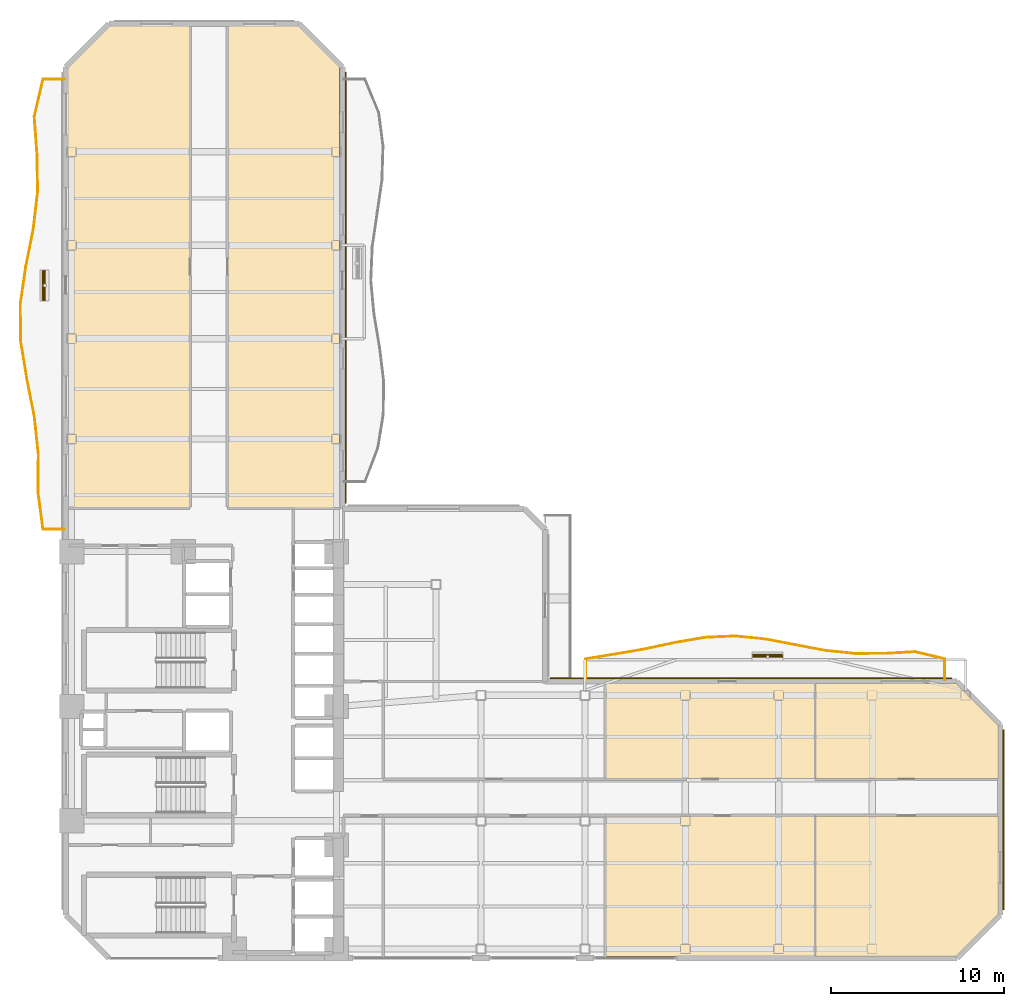
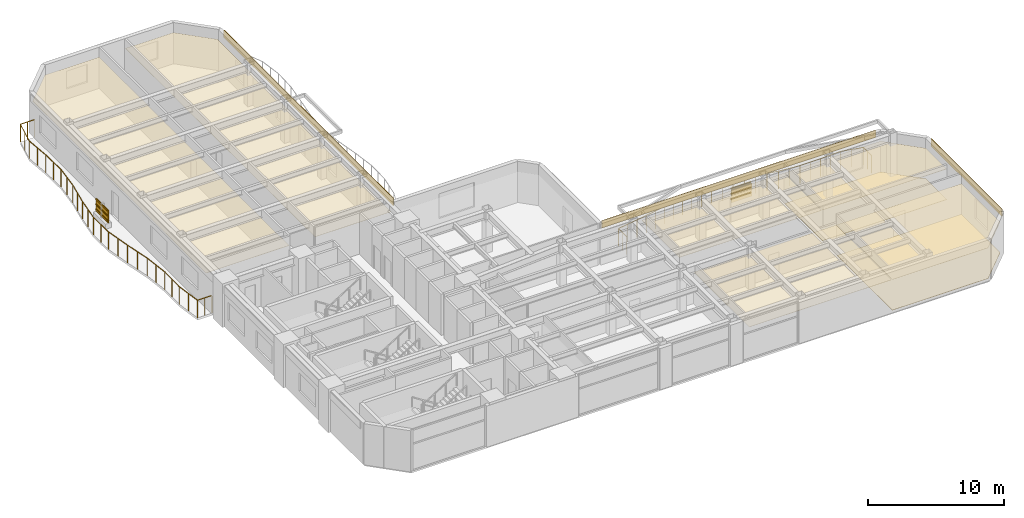
# One storey, part 16 of 17: 11 coverings, 8 shading devices, 2 railings.
"""IFC4 building model written with IfcOpenShell, lengths in metres."""

import ifcopenshell
import ifcopenshell.guid

model = None  # the IFC model being written
_history = None  # IfcOwnerHistory: only IFC2X3 demands one
_inside = {}  # id of a spatial element -> (the spatial element, [elements in it])
_under = {}  # id of a project, library or spatial element -> (it, [spatial elements below it])
_declared = {}  # id of a project -> (the project, [libraries it declares])
_typed = {}  # id of a type object -> (the type object, [elements of that type])
_made_of = {}  # id of a material, layer set ... -> (it, [elements and type objects made of it])


def new_model(schema):
    """Start an empty IFC model of exactly this schema.

    Asked for "IFC4X3", IfcOpenShell would pick the latest addendum, in which some entities
    have other attributes; the version numbers below select the first issue.
    IFC2X3 requires an IfcOwnerHistory on every rooted entity: one is made here for all.
    """
    global model, _history
    if schema == "IFC4X3":
        model = ifcopenshell.file(schema_version=(4, 3, 0, 0))
    else:
        model = ifcopenshell.file(schema=schema)
    _inside.clear()
    _under.clear()
    _declared.clear()
    _typed.clear()
    _made_of.clear()
    _history = None
    if model.schema == "IFC2X3":
        org = make("IfcOrganization", Name="unknown")
        user = make(
            "IfcPersonAndOrganization",
            ThePerson=make("IfcPerson", FamilyName="unknown"),
            TheOrganization=org,
        )
        app = make(
            "IfcApplication",
            ApplicationDeveloper=org,
            Version="unknown",
            ApplicationFullName="unknown",
            ApplicationIdentifier="unknown",
        )
        _history = make(
            "IfcOwnerHistory",
            OwningUser=user,
            OwningApplication=app,
            ChangeAction="ADDED",
            CreationDate=0,
        )
    return model


def make(cls, **values):
    """One entity of the class cls with the attributes given. An attribute that is None is left unset."""
    return model.create_entity(
        cls, **{name: value for name, value in values.items() if value is not None}
    )


def rooted(cls, **values):
    """An entity with a GlobalId (a new one), such as an element, a storey or a relation."""
    return make(cls, GlobalId=ifcopenshell.guid.new(), OwnerHistory=_history, **values)


def si_unit(unit_type, name, prefix=None):
    """IfcSIUnit, for example si_unit("LENGTHUNIT", "METRE", prefix="MILLI")."""
    return make("IfcSIUnit", UnitType=unit_type, Prefix=prefix, Name=name)


def assignment(units):
    """IfcUnitAssignment: the units of a project."""
    return None if units is None else make("IfcUnitAssignment", Units=units)


def point(xyz):
    """IfcCartesianPoint."""
    return None if xyz is None else make("IfcCartesianPoint", Coordinates=xyz)


def direction(xyz):
    """IfcDirection."""
    return None if xyz is None else make("IfcDirection", DirectionRatios=xyz)


def frame(location, z_axis=None, x_axis=None):
    """IfcAxis2Placement3D, a coordinate frame: its origin and axes. An axis left out is left unset."""
    return make(
        "IfcAxis2Placement3D",
        Location=point(location),
        Axis=direction(z_axis),
        RefDirection=direction(x_axis),
    )


def frame_2d(location, x_axis=None):
    """IfcAxis2Placement2D, a coordinate frame in the plane: its origin and x axis."""
    return make(
        "IfcAxis2Placement2D", Location=point(location), RefDirection=direction(x_axis)
    )


def origin():
    """The frame at (0, 0, 0) with its axes left unset."""
    return frame((0.0, 0.0, 0.0))


def origin_2d():
    """The frame at (0, 0) in the plane with its x axis left unset."""
    return frame_2d((0.0, 0.0))


def place(relative_to, where):
    """IfcLocalPlacement: puts the frame where relative to a parent placement (None: the world)."""
    return make(
        "IfcLocalPlacement", PlacementRelTo=relative_to, RelativePlacement=where
    )


def context(
    kind, dimensions, precision=None, world=None, true_north=None, identifier=None
):
    """IfcGeometricRepresentationContext, for example the 3D "Model" context."""
    return make(
        "IfcGeometricRepresentationContext",
        ContextIdentifier=identifier,
        ContextType=kind,
        CoordinateSpaceDimension=dimensions,
        Precision=precision,
        WorldCoordinateSystem=world,
        TrueNorth=true_north,
    )


def subcontext(parent, identifier, kind, view, scale=None):
    """IfcGeometricRepresentationSubContext, for example "Body" below "Model"."""
    return make(
        "IfcGeometricRepresentationSubContext",
        ContextIdentifier=identifier,
        ContextType=kind,
        ParentContext=parent,
        TargetScale=scale,
        TargetView=view,
    )


def project(units=None, contexts=None):
    """IfcProject with its units and contexts."""
    return rooted(
        "IfcProject",
        Name="project",
        RepresentationContexts=contexts,
        UnitsInContext=assignment(units),
    )


def spatial(cls, under=None, at=None, **own):
    """A site, building, storey or space (cls), placed at a placement, below another one or the project."""
    s = rooted(cls, ObjectPlacement=at, **own)
    if under is not None:
        _under.setdefault(under.id(), (under, []))[1].append(s)
    return s


def polyline(points):
    """IfcPolyline through the points."""
    return make("IfcPolyline", Points=[point(p) for p in points])


def profile(cls, at=None, kind="AREA", **sizes):
    """A parametric profile (cls). Its sizes go by their IFC names, for example OverallWidth=200.0."""
    return make(cls, ProfileType=kind, Position=at, **sizes)


def rectangle(**sizes):
    """IfcRectangleProfileDef."""
    return profile("IfcRectangleProfileDef", **sizes)


def outline(outer, holes=None, kind="AREA"):
    """IfcArbitraryClosedProfileDef: a profile drawn as a closed curve; with holes, ...WithVoids."""
    if holes is None:
        return make("IfcArbitraryClosedProfileDef", ProfileType=kind, OuterCurve=outer)
    return make(
        "IfcArbitraryProfileDefWithVoids",
        ProfileType=kind,
        OuterCurve=outer,
        InnerCurves=holes,
    )


def extrude(swept, where, along, depth):
    """IfcExtrudedAreaSolid: the profile swept, set in the frame where, extruded along a direction by depth."""
    return make(
        "IfcExtrudedAreaSolid",
        SweptArea=swept,
        Position=where,
        ExtrudedDirection=direction(along),
        Depth=depth,
    )


def shape(context_of_items, identifier, shape_type, items):
    """IfcShapeRepresentation: the items that make up one representation, for example the "Body"."""
    return make(
        "IfcShapeRepresentation",
        ContextOfItems=context_of_items,
        RepresentationIdentifier=identifier,
        RepresentationType=shape_type,
        Items=items,
    )


def material(Name=None, Category=None):
    """IfcMaterial."""
    return make("IfcMaterial", Name=Name, Category=Category)


def layer(
    of_material, thickness, ventilated=None, Name=None, Category=None, Priority=None
):
    """IfcMaterialLayer: one layer of a wall or slab, of a material (None: an air gap)."""
    return make(
        "IfcMaterialLayer",
        Material=of_material,
        LayerThickness=thickness,
        IsVentilated=ventilated,
        Name=Name,
        Category=Category,
        Priority=Priority,
    )


def layer_set(layers, Name=None):
    """IfcMaterialLayerSet."""
    return make("IfcMaterialLayerSet", MaterialLayers=layers, LayerSetName=Name)


def material_profile(
    of_material, cross_section, Name=None, Category=None, Priority=None
):
    """IfcMaterialProfile: a cross section and its material."""
    return make(
        "IfcMaterialProfile",
        Name=Name,
        Material=of_material,
        Profile=cross_section,
        Priority=Priority,
        Category=Category,
    )


def profile_set(profiles, Name=None, composite=None):
    """IfcMaterialProfileSet."""
    return make(
        "IfcMaterialProfileSet",
        Name=Name,
        MaterialProfiles=profiles,
        CompositeProfile=composite,
    )


def made_of(thing, what):
    """Note that an element or type object is made of a material, layer set ...; save() writes the relation."""
    if what is not None:
        _made_of.setdefault(what.id(), (what, []))[1].append(thing)
    return thing


def type_object(cls, material=None, **own):
    """A type object (cls), such as IfcWallType, which elements share."""
    return made_of(rooted(cls, **own), material)


def element(
    cls,
    number,
    at=None,
    inside=None,
    cuts=None,
    type_object=None,
    material=None,
    context=None,
    identifier="Body",
    shape_type=None,
    held_by="IfcProductDefinitionShape",
    body=None,
    shapes=None,
    **own,
):
    """One element of the class cls, such as IfcWall. Its Tag is "e" and its number.

    at: its placement. inside: the storey or other place that contains it. cuts: it is an
    opening in that element (IfcRelVoidsElement). A single representation is given by context,
    identifier, shape_type and body (its items); several are given by shapes. held_by: the class
    of the entity that holds the representations. save() writes the other relations.
    """
    e = rooted(cls, Tag="e%d" % number, ObjectPlacement=at, **own)
    if body is not None:
        shapes = [shape(context, identifier, shape_type, body)]
    if shapes is not None:
        e.Representation = make(held_by, Representations=shapes)
    if inside is not None:
        _inside.setdefault(inside.id(), (inside, []))[1].append(e)
    if cuts is not None:
        rooted(
            "IfcRelVoidsElement", RelatingBuildingElement=cuts, RelatedOpeningElement=e
        )
    if type_object is not None:
        _typed.setdefault(type_object.id(), (type_object, []))[1].append(e)
    return made_of(e, material)


def aggregate(whole, parts):
    """IfcRelAggregates: a whole, such as a stair, and the parts it consists of."""
    return rooted("IfcRelAggregates", RelatingObject=whole, RelatedObjects=parts)


def save(model, path):
    """Write the relations noted so far, then the file.

    IfcRelAggregates (storeys below a building ...), IfcRelContainedInSpatialStructure (elements
    in a storey), IfcRelDefinesByType, IfcRelAssociatesMaterial and IfcRelDeclares: one each for
    every whole, place, type object, material and project.
    """
    for whole, parts in _under.values():
        aggregate(whole, parts)
    for where, things in _inside.values():
        rooted(
            "IfcRelContainedInSpatialStructure",
            RelatedElements=things,
            RelatingStructure=where,
        )
    for kind, things in _typed.values():
        rooted("IfcRelDefinesByType", RelatedObjects=things, RelatingType=kind)
    for what, things in _made_of.values():
        rooted("IfcRelAssociatesMaterial", RelatedObjects=things, RelatingMaterial=what)
    for by, libraries in _declared.values():
        rooted("IfcRelDeclares", RelatingContext=by, RelatedDefinitions=libraries)
    model.write(path)


model = new_model("IFC4")

# Units and contexts
model_context = context("Model", 3, precision=1e-05, world=origin(), true_north=direction((0.0, 1.0)))
body_context = subcontext(model_context, "Body", "Model", "MODEL_VIEW")
ifc_project = project(units=[si_unit("LENGTHUNIT", "METRE"), si_unit("AREAUNIT", "SQUARE_METRE"), si_unit("VOLUMEUNIT", "CUBIC_METRE"), si_unit("PLANEANGLEUNIT", "RADIAN"), si_unit("MASSUNIT", "GRAM", prefix="KILO")], contexts=[model_context])

# Site, building, storey
site_placement = place(None, origin())
site = spatial("IfcSite", under=ifc_project, at=site_placement, CompositionType="ELEMENT")
building_placement = place(site_placement, origin())
building = spatial("IfcBuilding", under=site, at=building_placement, Name="Mawjaban Terraces University", CompositionType="ELEMENT")
storey_placement = place(building_placement, frame((0.0, 0.0, 70.0)))
storey = spatial("IfcBuildingStorey", under=building, at=storey_placement, Name="L16", CompositionType="ELEMENT", Elevation=70.0)

# Coverings
ifc_material_1 = material(Name="Acoustic mineral fibre ceiling tile", Category="masonry")
ifc_layer_1 = layer(ifc_material_1, 0.02001953125)
ifc_layer_set_1 = layer_set([ifc_layer_1], Name="Acoustic mineral fibre ceiling tile")
covering_type_1 = type_object("IfcCoveringType", Name="AcousticMineralCeiling_20", PredefinedType="CEILING", material=ifc_layer_set_1)
covering_1_placement = place(storey_placement, frame((0.0, 0.0, 2.75)))
element("IfcCovering", 1, at=covering_1_placement, inside=storey, type_object=covering_type_1, Name="L16 Graduate Study Lounge 4 Acoustic Ceiling", PredefinedType="CEILING", context=body_context, shape_type="SweptSolid", body=[
    extrude(outline(polyline([(53.214111328125, 0.114990234375), (65.27490234375, 0.114990234375), (65.27490234375, 8.219970703125), (53.214111328125, 8.219970703125), (53.214111328125, 0.114990234375)])), origin(), (0.0, 0.0, 1.0), 0.02001953125),
])
covering_2_placement = place(storey_placement, frame((0.0, 0.0, 2.75)))
element("IfcCovering", 2, at=covering_2_placement, inside=storey, type_object=covering_type_1, Name="L16 Collaborative Study Room 5 Acoustic Ceiling", PredefinedType="CEILING", context=body_context, shape_type="SweptSolid", body=[
    extrude(outline(polyline([(65.27490234375, 15.885009765625), (53.214111328125, 15.885009765625), (53.214111328125, 10.3798828125), (65.27490234375, 10.3798828125), (65.27490234375, 15.885009765625)])), origin(), (0.0, 0.0, 1.0), 0.02001953125),
])
covering_3_placement = place(storey_placement, frame((0.0, 0.0, 2.75)))
element("IfcCovering", 3, at=covering_3_placement, inside=storey, type_object=covering_type_1, Name="L16 Classroom 6 Acoustic Ceiling", PredefinedType="CEILING", context=body_context, shape_type="SweptSolid", body=[
    extrude(outline(polyline([(65.3349609375, 0.114990234375), (73.452880859375, 0.114990234375), (75.885009765625, 2.547119140625), (75.885009765625, 8.219970703125), (65.3349609375, 8.219970703125), (65.3349609375, 0.114990234375)])), origin(), (0.0, 0.0, 1.0), 0.02001953125),
])
covering_4_placement = place(storey_placement, frame((0.0, 0.0, 2.75)))
element("IfcCovering", 4, at=covering_4_placement, inside=storey, type_object=covering_type_1, Name="L16 Seminar Room 7 Acoustic Ceiling", PredefinedType="CEILING", context=body_context, shape_type="SweptSolid", body=[
    extrude(outline(polyline([(75.885009765625, 10.3798828125), (75.885009765625, 13.452880859375), (73.452880859375, 15.885009765625), (65.3349609375, 15.885009765625), (65.3349609375, 10.3798828125), (75.885009765625, 10.3798828125)])), origin(), (0.0, 0.0, 1.0), 0.02001953125),
])
covering_5_placement = place(storey_placement, frame((0.0, 0.0, 2.75)))
element("IfcCovering", 5, at=covering_5_placement, inside=storey, type_object=covering_type_1, Name="L16 Collaborative Study Room 8 Acoustic Ceiling", PredefinedType="CEILING", context=body_context, shape_type="SweptSolid", body=[
    extrude(outline(polyline([(29.169921875, 53.885009765625), (24.547119140625, 53.885009765625), (22.114990234375, 51.452880859375), (22.114990234375, 26.030029296875), (29.169921875, 26.030029296875), (29.169921875, 53.885009765625)])), origin(), (0.0, 0.0, 1.0), 0.02001953125),
])
covering_6_placement = place(storey_placement, frame((0.0, 0.0, 2.75)))
element("IfcCovering", 6, at=covering_6_placement, inside=storey, type_object=covering_type_1, Name="L16 Collaborative Study Room 9 Acoustic Ceiling", PredefinedType="CEILING", context=body_context, shape_type="SweptSolid", body=[
    extrude(outline(polyline([(35.452880859375, 53.885009765625), (31.3798828125, 53.885009765625), (31.3798828125, 26.030029296875), (37.820068359375, 26.030029296875), (37.820068359375, 51.51806640625), (35.452880859375, 53.885009765625)])), origin(), (0.0, 0.0, 1.0), 0.02001953125),
])

# Railings
ifc_material_2 = material(Name="Galvanised powder-coated steel S355", Category="steel")
railing_type = type_object("IfcRailingType", Name="BalconyBalustrade_1600", PredefinedType="BALUSTRADE", material=ifc_material_2)
railing_1_placement = place(storey_placement, frame((21.919921875, 24.800048828125, 0.0)))
element("IfcRailing", 7, at=railing_1_placement, inside=storey, type_object=railing_type, Name="L16 Balcony Guardrail west", PredefinedType="BALUSTRADE", context=body_context, shape_type="SweptSolid", body=[
    extrude(rectangle(XDim=0.048095703125, YDim=0.048095703125, at=origin_2d()), frame((0.0, 0.0, 1.576171875), z_axis=(-1.0, 0.0, 0.0), x_axis=(0.0, -1.0, 0.0)), (0.0, 0.0, 1.0), 1.219970703125),
    extrude(rectangle(XDim=0.048095703125, YDim=0.048095703125, at=origin_2d()), frame((-1.219970703125, 0.0, 1.576171875), z_axis=(-0.132222239086, 0.991220096392, 0.0), x_axis=(-0.991220096392, -0.132222239086, 0.0)), (0.0, 0.0, 1.0), 2.186279296875),
    extrude(rectangle(XDim=0.048095703125, YDim=0.048095703125, at=origin_2d()), frame((-1.509033203125, 2.1669921875, 1.576171875), z_axis=(0.009692962117, 0.999953022139, 0.0), x_axis=(-0.999953022139, 0.009692962117, 0.0)), (0.0, 0.0, 1.0), 2.166015625),
    extrude(rectangle(XDim=0.048095703125, YDim=0.048095703125, at=origin_2d()), frame((-1.488037109375, 4.3330078125, 1.576171875), z_axis=(-0.105536205986, 0.994415461076, 0.0), x_axis=(-0.994415461076, -0.105536205986, 0.0)), (0.0, 0.0, 1.0), 2.17919921875),
    extrude(rectangle(XDim=0.048095703125, YDim=0.048095703125, at=origin_2d()), frame((-1.718017578125, 6.5, 1.576171875), z_axis=(-0.194181673252, 0.980965584398, 0.0), x_axis=(-0.980965584398, -0.194181673252, 0.0)), (0.0, 0.0, 1.0), 2.208984375),
    extrude(rectangle(XDim=0.048095703125, YDim=0.048095703125, at=origin_2d()), frame((-2.14697265625, 8.6669921875, 1.576171875), z_axis=(-0.161728858018, 0.986835232693, 0.0), x_axis=(-0.986835232693, -0.161728858018, 0.0)), (0.0, 0.0, 1.0), 2.19482421875),
    extrude(rectangle(XDim=0.048095703125, YDim=0.048095703125, at=origin_2d()), frame((-2.501953125, 10.8330078125, 1.576171875), z_axis=(-0.013405735303, 0.999910139093, 0.0), x_axis=(-0.999910139093, -0.013405735303, 0.0)), (0.0, 0.0, 1.0), 2.167236328125),
    extrude(rectangle(XDim=0.048095703125, YDim=0.048095703125, at=origin_2d()), frame((-2.531005859375, 13.0, 1.576171875), z_axis=(0.144807165863, 0.989459895456, 0.0), x_axis=(-0.989459895456, 0.144807165863, 0.0)), (0.0, 0.0, 1.0), 2.190185546875),
    extrude(rectangle(XDim=0.048095703125, YDim=0.048095703125, at=origin_2d()), frame((-2.2138671875, 15.1669921875, 1.576171875), z_axis=(0.195542152971, 0.980695297435, 0.0), x_axis=(-0.980695297435, 0.195542152971, 0.0)), (0.0, 0.0, 1.0), 2.208740234375),
    extrude(rectangle(XDim=0.048095703125, YDim=0.048095703125, at=origin_2d()), frame((-1.781982421875, 17.3330078125, 1.576171875), z_axis=(0.116484164436, 0.993192549023, 0.0), x_axis=(-0.993192549023, 0.116484164436, 0.0)), (0.0, 0.0, 1.0), 2.181884765625),
    extrude(rectangle(XDim=0.048095703125, YDim=0.048095703125, at=origin_2d()), frame((-1.52783203125, 19.5, 1.576171875), z_axis=(-0.018023209892, 0.999837568761, 0.0), x_axis=(-0.999837568761, -0.018023209892, 0.0)), (0.0, 0.0, 1.0), 2.167236328125),
    extrude(rectangle(XDim=0.048095703125, YDim=0.048095703125, at=origin_2d()), frame((-1.56689453125, 21.6669921875, 1.576171875), z_axis=(-0.072732911519, 0.997351454394, 0.0), x_axis=(-0.997351454394, -0.072732911519, 0.0)), (0.0, 0.0, 1.0), 2.171875),
    extrude(rectangle(XDim=0.048095703125, YDim=0.048095703125, at=origin_2d()), frame((-1.724853515625, 23.8330078125, 1.576171875), z_axis=(0.226910488636, 0.97391561757, 0.0), x_axis=(-0.97391561757, 0.226910488636, 0.0)), (0.0, 0.0, 1.0), 2.22509765625),
    extrude(rectangle(XDim=0.048095703125, YDim=0.048095703125, at=origin_2d()), frame((-1.219970703125, 26.0, 1.576171875), z_axis=(1.0, 0.0, 0.0), x_axis=(0.0, 1.0, 0.0)), (0.0, 0.0, 1.0), 1.219970703125),
    extrude(rectangle(XDim=0.0419921875, YDim=0.0419921875, at=origin_2d()), origin(), (0.0, 0.0, 1.0), 1.552001953125),
    extrude(rectangle(XDim=0.0419921875, YDim=0.0419921875, at=origin_2d()), frame((-0.60986328125, 0.0, 0.0)), (0.0, 0.0, 1.0), 1.552001953125),
    extrude(rectangle(XDim=0.0419921875, YDim=0.0419921875, at=origin_2d()), frame((-1.219970703125, 0.0, 0.0)), (0.0, 0.0, 1.0), 1.552001953125),
    extrude(rectangle(XDim=0.0419921875, YDim=0.0419921875, at=origin_2d()), frame((-1.364501953125, 1.08349609375, 0.0)), (0.0, 0.0, 1.0), 1.552001953125),
    extrude(rectangle(XDim=0.0419921875, YDim=0.0419921875, at=origin_2d()), frame((-1.509033203125, 2.1669921875, 0.0)), (0.0, 0.0, 1.0), 1.552001953125),
    extrude(rectangle(XDim=0.0419921875, YDim=0.0419921875, at=origin_2d()), frame((-1.49853515625, 3.25, 0.0)), (0.0, 0.0, 1.0), 1.552001953125),
    extrude(rectangle(XDim=0.0419921875, YDim=0.0419921875, at=origin_2d()), frame((-1.488037109375, 4.3330078125, 0.0)), (0.0, 0.0, 1.0), 1.552001953125),
    extrude(rectangle(XDim=0.0419921875, YDim=0.0419921875, at=origin_2d()), frame((-1.60302734375, 5.41650390625, 0.0)), (0.0, 0.0, 1.0), 1.552001953125),
    extrude(rectangle(XDim=0.0419921875, YDim=0.0419921875, at=origin_2d()), frame((-1.718017578125, 6.5, 0.0)), (0.0, 0.0, 1.0), 1.552001953125),
    extrude(rectangle(XDim=0.0419921875, YDim=0.0419921875, at=origin_2d()), frame((-1.9326171875, 7.58349609375, 0.0)), (0.0, 0.0, 1.0), 1.552001953125),
    extrude(rectangle(XDim=0.0419921875, YDim=0.0419921875, at=origin_2d()), frame((-2.14697265625, 8.6669921875, 0.0)), (0.0, 0.0, 1.0), 1.552001953125),
    extrude(rectangle(XDim=0.0419921875, YDim=0.0419921875, at=origin_2d()), frame((-2.324462890625, 9.75, 0.0)), (0.0, 0.0, 1.0), 1.552001953125),
    extrude(rectangle(XDim=0.0419921875, YDim=0.0419921875, at=origin_2d()), frame((-2.501953125, 10.8330078125, 0.0)), (0.0, 0.0, 1.0), 1.552001953125),
    extrude(rectangle(XDim=0.0419921875, YDim=0.0419921875, at=origin_2d()), frame((-2.5166015625, 11.91650390625, 0.0)), (0.0, 0.0, 1.0), 1.552001953125),
    extrude(rectangle(XDim=0.0419921875, YDim=0.0419921875, at=origin_2d()), frame((-2.531005859375, 13.0, 0.0)), (0.0, 0.0, 1.0), 1.552001953125),
    extrude(rectangle(XDim=0.0419921875, YDim=0.0419921875, at=origin_2d()), frame((-2.37255859375, 14.08349609375, 0.0)), (0.0, 0.0, 1.0), 1.552001953125),
    extrude(rectangle(XDim=0.0419921875, YDim=0.0419921875, at=origin_2d()), frame((-2.2138671875, 15.1669921875, 0.0)), (0.0, 0.0, 1.0), 1.552001953125),
    extrude(rectangle(XDim=0.0419921875, YDim=0.0419921875, at=origin_2d()), frame((-1.998046875, 16.25, 0.0)), (0.0, 0.0, 1.0), 1.552001953125),
    extrude(rectangle(XDim=0.0419921875, YDim=0.0419921875, at=origin_2d()), frame((-1.781982421875, 17.3330078125, 0.0)), (0.0, 0.0, 1.0), 1.552001953125),
    extrude(rectangle(XDim=0.0419921875, YDim=0.0419921875, at=origin_2d()), frame((-1.65478515625, 18.41650390625, 0.0)), (0.0, 0.0, 1.0), 1.552001953125),
    extrude(rectangle(XDim=0.0419921875, YDim=0.0419921875, at=origin_2d()), frame((-1.52783203125, 19.5, 0.0)), (0.0, 0.0, 1.0), 1.552001953125),
    extrude(rectangle(XDim=0.0419921875, YDim=0.0419921875, at=origin_2d()), frame((-1.54736328125, 20.58349609375, 0.0)), (0.0, 0.0, 1.0), 1.552001953125),
    extrude(rectangle(XDim=0.0419921875, YDim=0.0419921875, at=origin_2d()), frame((-1.56689453125, 21.6669921875, 0.0)), (0.0, 0.0, 1.0), 1.552001953125),
    extrude(rectangle(XDim=0.0419921875, YDim=0.0419921875, at=origin_2d()), frame((-1.64599609375, 22.75, 0.0)), (0.0, 0.0, 1.0), 1.552001953125),
    extrude(rectangle(XDim=0.0419921875, YDim=0.0419921875, at=origin_2d()), frame((-1.724853515625, 23.8330078125, 0.0)), (0.0, 0.0, 1.0), 1.552001953125),
    extrude(rectangle(XDim=0.0419921875, YDim=0.0419921875, at=origin_2d()), frame((-1.472412109375, 24.91650390625, 0.0)), (0.0, 0.0, 1.0), 1.552001953125),
    extrude(rectangle(XDim=0.0419921875, YDim=0.0419921875, at=origin_2d()), frame((-1.219970703125, 26.0, 0.0)), (0.0, 0.0, 1.0), 1.552001953125),
    extrude(rectangle(XDim=0.0419921875, YDim=0.0419921875, at=origin_2d()), frame((-0.60986328125, 26.0, 0.0)), (0.0, 0.0, 1.0), 1.552001953125),
    extrude(rectangle(XDim=0.0419921875, YDim=0.0419921875, at=origin_2d()), frame((0.0, 26.0, 0.0)), (0.0, 0.0, 1.0), 1.552001953125),
])
railing_2_placement = place(storey_placement, frame((52.050048828125, 16.080078125, 0.0)))
element("IfcRailing", 8, at=railing_2_placement, inside=storey, type_object=railing_type, Name="L16 Balcony Guardrail inner_north", PredefinedType="BALUSTRADE", context=body_context, shape_type="SweptSolid", body=[
    extrude(rectangle(XDim=0.048095703125, YDim=0.048095703125, at=origin_2d()), frame((0.0, 0.0, 1.576171875), z_axis=(0.0, 1.0, 0.0), x_axis=(-1.0, 0.0, 0.0)), (0.0, 0.0, 1.0), 1.219970703125),
    extrude(rectangle(XDim=0.048095703125, YDim=0.048095703125, at=origin_2d()), frame((0.0, 1.219970703125, 1.576171875), z_axis=(0.987137006611, 0.159876609232, 0.0), x_axis=(-0.159876609232, 0.987137006611, 0.0)), (0.0, 0.0, 1.0), 1.75146484375),
    extrude(rectangle(XDim=0.048095703125, YDim=0.048095703125, at=origin_2d()), frame((1.72900390625, 1.5, 1.576171875), z_axis=(0.985484208607, 0.169767118681, 0.0), x_axis=(-0.169767118681, 0.985484208607, 0.0)), (0.0, 0.0, 1.0), 1.75439453125),
    extrude(rectangle(XDim=0.048095703125, YDim=0.048095703125, at=origin_2d()), frame((3.4580078125, 1.7978515625, 1.576171875), z_axis=(0.977733668771, 0.209849643679, 0.0), x_axis=(-0.209849643679, 0.977733668771, 0.0)), (0.0, 0.0, 1.0), 1.768310546875),
    extrude(rectangle(XDim=0.048095703125, YDim=0.048095703125, at=origin_2d()), frame((5.18701171875, 2.1689453125, 1.576171875), z_axis=(0.986053347595, 0.166429551753, 0.0), x_axis=(-0.166429551753, 0.986053347595, 0.0)), (0.0, 0.0, 1.0), 1.75439453125),
    extrude(rectangle(XDim=0.048095703125, YDim=0.048095703125, at=origin_2d()), frame((6.9169921875, 2.4609375, 1.576171875), z_axis=(0.999012276352, 0.044435027824, 0.0), x_axis=(-0.044435027824, 0.999012276352, 0.0)), (0.0, 0.0, 1.0), 1.730712890625),
    extrude(rectangle(XDim=0.048095703125, YDim=0.048095703125, at=origin_2d()), frame((8.64599609375, 2.537841796875, 1.576171875), z_axis=(0.995039972052, -0.099475896669, 0.0), x_axis=(0.099475896669, 0.995039972052, 0.0)), (0.0, 0.0, 1.0), 1.737548828125),
    extrude(rectangle(XDim=0.048095703125, YDim=0.048095703125, at=origin_2d()), frame((10.375, 2.364990234375, 1.576171875), z_axis=(0.982055867404, -0.188590225878, 0.0), x_axis=(0.188590225878, 0.982055867404, 0.0)), (0.0, 0.0, 1.0), 1.760498046875),
    extrude(rectangle(XDim=0.048095703125, YDim=0.048095703125, at=origin_2d()), frame((12.10400390625, 2.032958984375, 1.576171875), z_axis=(0.982464623737, -0.186449089848, 0.0), x_axis=(0.186449089848, 0.982464623737, 0.0)), (0.0, 0.0, 1.0), 1.759765625),
    extrude(rectangle(XDim=0.048095703125, YDim=0.048095703125, at=origin_2d()), frame((13.8330078125, 1.704833984375, 1.576171875), z_axis=(0.994686339559, -0.10295186203, 0.0), x_axis=(0.10295186203, 0.994686339559, 0.0)), (0.0, 0.0, 1.0), 1.73828125),
    extrude(rectangle(XDim=0.048095703125, YDim=0.048095703125, at=origin_2d()), frame((15.56201171875, 1.52587890625, 1.576171875), z_axis=(0.999986367915, 0.005221492466, 0.0), x_axis=(-0.005221492466, 0.999986367915, 0.0)), (0.0, 0.0, 1.0), 1.72998046875),
    extrude(rectangle(XDim=0.048095703125, YDim=0.048095703125, at=origin_2d()), frame((17.2919921875, 1.534912109375, 1.576171875), z_axis=(0.998586098923, 0.053158282871, 0.0), x_axis=(-0.053158282871, 0.998586098923, 0.0)), (0.0, 0.0, 1.0), 1.7314453125),
    extrude(rectangle(XDim=0.048095703125, YDim=0.048095703125, at=origin_2d()), frame((19.02099609375, 1.626953125, 1.576171875), z_axis=(0.973397336313, -0.22912360345, 0.0), x_axis=(0.22912360345, 0.973397336313, 0.0)), (0.0, 0.0, 1.0), 1.7763671875),
    extrude(rectangle(XDim=0.048095703125, YDim=0.048095703125, at=origin_2d()), frame((20.75, 1.219970703125, 1.576171875), z_axis=(0.0, -1.0, 0.0), x_axis=(1.0, 0.0, 0.0)), (0.0, 0.0, 1.0), 1.219970703125),
    extrude(rectangle(XDim=0.0419921875, YDim=0.0419921875, at=origin_2d()), origin(), (0.0, 0.0, 1.0), 1.552001953125),
    extrude(rectangle(XDim=0.0419921875, YDim=0.0419921875, at=origin_2d()), frame((0.0, 0.60986328125, 0.0)), (0.0, 0.0, 1.0), 1.552001953125),
    extrude(rectangle(XDim=0.0419921875, YDim=0.0419921875, at=origin_2d()), frame((0.0, 1.219970703125, 0.0)), (0.0, 0.0, 1.0), 1.552001953125),
    extrude(rectangle(XDim=0.0419921875, YDim=0.0419921875, at=origin_2d()), frame((0.864501953125, 1.35986328125, 0.0)), (0.0, 0.0, 1.0), 1.552001953125),
    extrude(rectangle(XDim=0.0419921875, YDim=0.0419921875, at=origin_2d()), frame((1.72900390625, 1.5, 0.0)), (0.0, 0.0, 1.0), 1.552001953125),
    extrude(rectangle(XDim=0.0419921875, YDim=0.0419921875, at=origin_2d()), frame((2.593505859375, 1.64892578125, 0.0)), (0.0, 0.0, 1.0), 1.552001953125),
    extrude(rectangle(XDim=0.0419921875, YDim=0.0419921875, at=origin_2d()), frame((3.4580078125, 1.7978515625, 0.0)), (0.0, 0.0, 1.0), 1.552001953125),
    extrude(rectangle(XDim=0.0419921875, YDim=0.0419921875, at=origin_2d()), frame((4.322509765625, 1.9833984375, 0.0)), (0.0, 0.0, 1.0), 1.552001953125),
    extrude(rectangle(XDim=0.0419921875, YDim=0.0419921875, at=origin_2d()), frame((5.18701171875, 2.1689453125, 0.0)), (0.0, 0.0, 1.0), 1.552001953125),
    extrude(rectangle(XDim=0.0419921875, YDim=0.0419921875, at=origin_2d()), frame((6.052001953125, 2.31494140625, 0.0)), (0.0, 0.0, 1.0), 1.552001953125),
    extrude(rectangle(XDim=0.0419921875, YDim=0.0419921875, at=origin_2d()), frame((6.9169921875, 2.4609375, 0.0)), (0.0, 0.0, 1.0), 1.552001953125),
    extrude(rectangle(XDim=0.0419921875, YDim=0.0419921875, at=origin_2d()), frame((7.781494140625, 2.49951171875, 0.0)), (0.0, 0.0, 1.0), 1.552001953125),
    extrude(rectangle(XDim=0.0419921875, YDim=0.0419921875, at=origin_2d()), frame((8.64599609375, 2.537841796875, 0.0)), (0.0, 0.0, 1.0), 1.552001953125),
    extrude(rectangle(XDim=0.0419921875, YDim=0.0419921875, at=origin_2d()), frame((9.510498046875, 2.451416015625, 0.0)), (0.0, 0.0, 1.0), 1.552001953125),
    extrude(rectangle(XDim=0.0419921875, YDim=0.0419921875, at=origin_2d()), frame((10.375, 2.364990234375, 0.0)), (0.0, 0.0, 1.0), 1.552001953125),
    extrude(rectangle(XDim=0.0419921875, YDim=0.0419921875, at=origin_2d()), frame((11.239501953125, 2.198974609375, 0.0)), (0.0, 0.0, 1.0), 1.552001953125),
    extrude(rectangle(XDim=0.0419921875, YDim=0.0419921875, at=origin_2d()), frame((12.10400390625, 2.032958984375, 0.0)), (0.0, 0.0, 1.0), 1.552001953125),
    extrude(rectangle(XDim=0.0419921875, YDim=0.0419921875, at=origin_2d()), frame((12.968505859375, 1.868896484375, 0.0)), (0.0, 0.0, 1.0), 1.552001953125),
    extrude(rectangle(XDim=0.0419921875, YDim=0.0419921875, at=origin_2d()), frame((13.8330078125, 1.704833984375, 0.0)), (0.0, 0.0, 1.0), 1.552001953125),
    extrude(rectangle(XDim=0.0419921875, YDim=0.0419921875, at=origin_2d()), frame((14.697509765625, 1.615234375, 0.0)), (0.0, 0.0, 1.0), 1.552001953125),
    extrude(rectangle(XDim=0.0419921875, YDim=0.0419921875, at=origin_2d()), frame((15.56201171875, 1.52587890625, 0.0)), (0.0, 0.0, 1.0), 1.552001953125),
    extrude(rectangle(XDim=0.0419921875, YDim=0.0419921875, at=origin_2d()), frame((16.427001953125, 1.5302734375, 0.0)), (0.0, 0.0, 1.0), 1.552001953125),
    extrude(rectangle(XDim=0.0419921875, YDim=0.0419921875, at=origin_2d()), frame((17.2919921875, 1.534912109375, 0.0)), (0.0, 0.0, 1.0), 1.552001953125),
    extrude(rectangle(XDim=0.0419921875, YDim=0.0419921875, at=origin_2d()), frame((18.156494140625, 1.5810546875, 0.0)), (0.0, 0.0, 1.0), 1.552001953125),
    extrude(rectangle(XDim=0.0419921875, YDim=0.0419921875, at=origin_2d()), frame((19.02099609375, 1.626953125, 0.0)), (0.0, 0.0, 1.0), 1.552001953125),
    extrude(rectangle(XDim=0.0419921875, YDim=0.0419921875, at=origin_2d()), frame((19.885498046875, 1.42333984375, 0.0)), (0.0, 0.0, 1.0), 1.552001953125),
    extrude(rectangle(XDim=0.0419921875, YDim=0.0419921875, at=origin_2d()), frame((20.75, 1.219970703125, 0.0)), (0.0, 0.0, 1.0), 1.552001953125),
    extrude(rectangle(XDim=0.0419921875, YDim=0.0419921875, at=origin_2d()), frame((20.75, 0.60986328125, 0.0)), (0.0, 0.0, 1.0), 1.552001953125),
    extrude(rectangle(XDim=0.0419921875, YDim=0.0419921875, at=origin_2d()), frame((20.75, 0.0, 0.0)), (0.0, 0.0, 1.0), 1.552001953125),
])

# Shading devices
ifc_material_3 = material(Name="Glazed architectural terracotta ceramic", Category="masonry")
ifc_material_profile = material_profile(ifc_material_3, rectangle(XDim=0.06494140625, YDim=0.110107421875, at=origin_2d()), Name="TBAG110X65")
ifc_profile_set = profile_set([ifc_material_profile], Name="Glazed architectural terracotta ceramic")
shading_device_type_1 = type_object("IfcShadingDeviceType", Name="TerracottaBaguette_110x65", PredefinedType="USERDEFINED", material=ifc_profile_set)
for number, where, z_axis, x_axis, name in (
    (9, (20.694091796875, 38.032958984375, 0.679931640625), (0.0, 1.0, 0.0), (-1.0, 0.0, 0.0), "L16 Horizontal Terracotta Baguette west.1"),
    (10, (20.694091796875, 38.032958984375, 1.14990234375), (0.0, 1.0, 0.0), (-1.0, 0.0, 0.0), "L16 Horizontal Terracotta Baguette west.2"),
    (11, (20.694091796875, 38.032958984375, 1.6201171875), (0.0, 1.0, 0.0), (-1.0, 0.0, 0.0), "L16 Horizontal Terracotta Baguette west.3"),
    (12, (61.7099609375, 17.52490234375, 0.679931640625), (1.0, 0.0, 0.0), (0.0, 1.0, 0.0), "L16 Horizontal Terracotta Baguette inner_north.1"),
    (13, (61.7099609375, 17.52490234375, 1.14990234375), (1.0, 0.0, 0.0), (0.0, 1.0, 0.0), "L16 Horizontal Terracotta Baguette inner_north.2"),
    (14, (61.7099609375, 17.52490234375, 1.6201171875), (1.0, 0.0, 0.0), (0.0, 1.0, 0.0), "L16 Horizontal Terracotta Baguette inner_north.3"),
):
    element("IfcShadingDevice", number, at=place(storey_placement, frame(where, z_axis=z_axis, x_axis=x_axis)), inside=storey, type_object=shading_device_type_1, Name=name, ObjectType="BAGUETTE", PredefinedType="USERDEFINED", context=body_context, shape_type="SweptSolid", body=[
        extrude(rectangle(XDim=0.06494140625, YDim=0.110107421875, at=origin_2d()), origin(), (0.0, 0.0, 1.0), 1.699951171875),
    ])
ifc_layer_2 = layer(ifc_material_3, 0.080078125)
ifc_layer_set_2 = layer_set([ifc_layer_2], Name="Glazed architectural terracotta ceramic")
shading_device_type_2 = type_object("IfcShadingDeviceType", Name="TerracottaScreen_Perforated", PredefinedType="USERDEFINED", material=ifc_layer_set_2)
for number, where, z_axis, x_axis, name in (
    (15, (20.779052734375, 38.883056640625, 0.43994140625), (0.0, 0.0, 1.0), (0.0, 1.0, 0.0), "L16 Balcony Perforated Terracotta Screen west"),
    (16, (62.56005859375, 17.43994140625, 0.43994140625), (0.0, 0.0, 1.0), (1.0, 0.0, 0.0), "L16 Balcony Perforated Terracotta Screen inner_north"),
):
    element("IfcShadingDevice", number, at=place(storey_placement, frame(where, z_axis=z_axis, x_axis=x_axis)), inside=storey, type_object=shading_device_type_2, Name=name, ObjectType="SCREEN", PredefinedType="USERDEFINED", context=body_context, shape_type="SweptSolid", body=[
        extrude(rectangle(XDim=1.75, YDim=0.080078125, at=origin_2d()), origin(), (0.0, 0.0, 1.0), 1.14990234375),
    ])

# Coverings
ifc_material_4 = material(Name="Glazed architectural terracotta rainscreen", Category="masonry")
ifc_layer_3 = layer(ifc_material_4, 0.06005859375)
ifc_layer_set_3 = layer_set([ifc_layer_3], Name="Glazed architectural terracotta rainscreen")
covering_type_2 = type_object("IfcCoveringType", Name="TerracottaSpandrelCladding_60", PredefinedType="CLADDING", material=ifc_layer_set_3)
covering_7_placement = place(storey_placement, frame((76.18505859375, 8.0, 3.01513671875), z_axis=(0.0, 0.0, 1.0), x_axis=(0.0, 1.0, 0.0)))
element("IfcCovering", 17, at=covering_7_placement, inside=storey, type_object=covering_type_2, Name="L16 Terracotta Spandrel Cladding 3", PredefinedType="CLADDING", context=body_context, shape_type="SweptSolid", body=[
    extrude(rectangle(XDim=10.39990234375, YDim=0.06005859375, at=origin_2d()), origin(), (0.0, 0.0, 1.0), 0.64990234375),
])
covering_8_placement = place(storey_placement, frame((61.60009765625, 16.18505859375, 3.01513671875), z_axis=(0.0, 0.0, 1.0), x_axis=(-1.0, 0.0, 0.0)))
element("IfcCovering", 18, at=covering_8_placement, inside=storey, type_object=covering_type_2, Name="L16 Terracotta Spandrel Cladding 5", PredefinedType="CLADDING", context=body_context, shape_type="SweptSolid", body=[
    extrude(rectangle(XDim=23.199951171875, YDim=0.06005859375, at=origin_2d()), origin(), (0.0, 0.0, 1.0), 0.64990234375),
])
covering_9_placement = place(storey_placement, frame((38.18505859375, 38.7451171875, 3.01513671875), z_axis=(0.0, 0.0, 1.0), x_axis=(0.0, 1.0, 0.0)))
element("IfcCovering", 19, at=covering_9_placement, inside=storey, type_object=covering_type_2, Name="L16 Terracotta Spandrel Cladding 9", PredefinedType="CLADDING", context=body_context, shape_type="SweptSolid", body=[
    extrude(rectangle(XDim=24.909912109375, YDim=0.06005859375, at=origin_2d()), origin(), (0.0, 0.0, 1.0), 0.64990234375),
])
ifc_material_5 = material(Name="Polished Hijazi granite terrazzo flooring", Category="masonry")
ifc_layer_4 = layer(ifc_material_5, 0.02490234375)
ifc_layer_set_4 = layer_set([ifc_layer_4], Name="Polished Hijazi granite terrazzo flooring")
covering_type_3 = type_object("IfcCoveringType", Name="TerrazzoConcourseFlooring_25", PredefinedType="FLOORING", material=ifc_layer_set_4)
covering_10_placement = place(storey_placement, origin())
element("IfcCovering", 20, at=covering_10_placement, inside=storey, type_object=covering_type_3, Name="L16 Classroom 6 Terrazzo Flooring", PredefinedType="FLOORING", context=body_context, shape_type="SweptSolid", body=[
    extrude(outline(polyline([(65.3349609375, 0.114990234375), (73.452880859375, 0.114990234375), (75.885009765625, 2.547119140625), (75.885009765625, 8.219970703125), (65.3349609375, 8.219970703125), (65.3349609375, 0.114990234375)])), origin(), (0.0, 0.0, 1.0), 0.02490234375),
])
covering_11_placement = place(storey_placement, origin())
element("IfcCovering", 21, at=covering_11_placement, inside=storey, type_object=covering_type_3, Name="L16 Seminar Room 7 Terrazzo Flooring", PredefinedType="FLOORING", context=body_context, shape_type="SweptSolid", body=[
    extrude(outline(polyline([(75.885009765625, 10.3798828125), (75.885009765625, 13.452880859375), (73.452880859375, 15.885009765625), (65.3349609375, 15.885009765625), (65.3349609375, 10.3798828125), (75.885009765625, 10.3798828125)])), origin(), (0.0, 0.0, 1.0), 0.02490234375),
])

save(model, "model.ifc")
